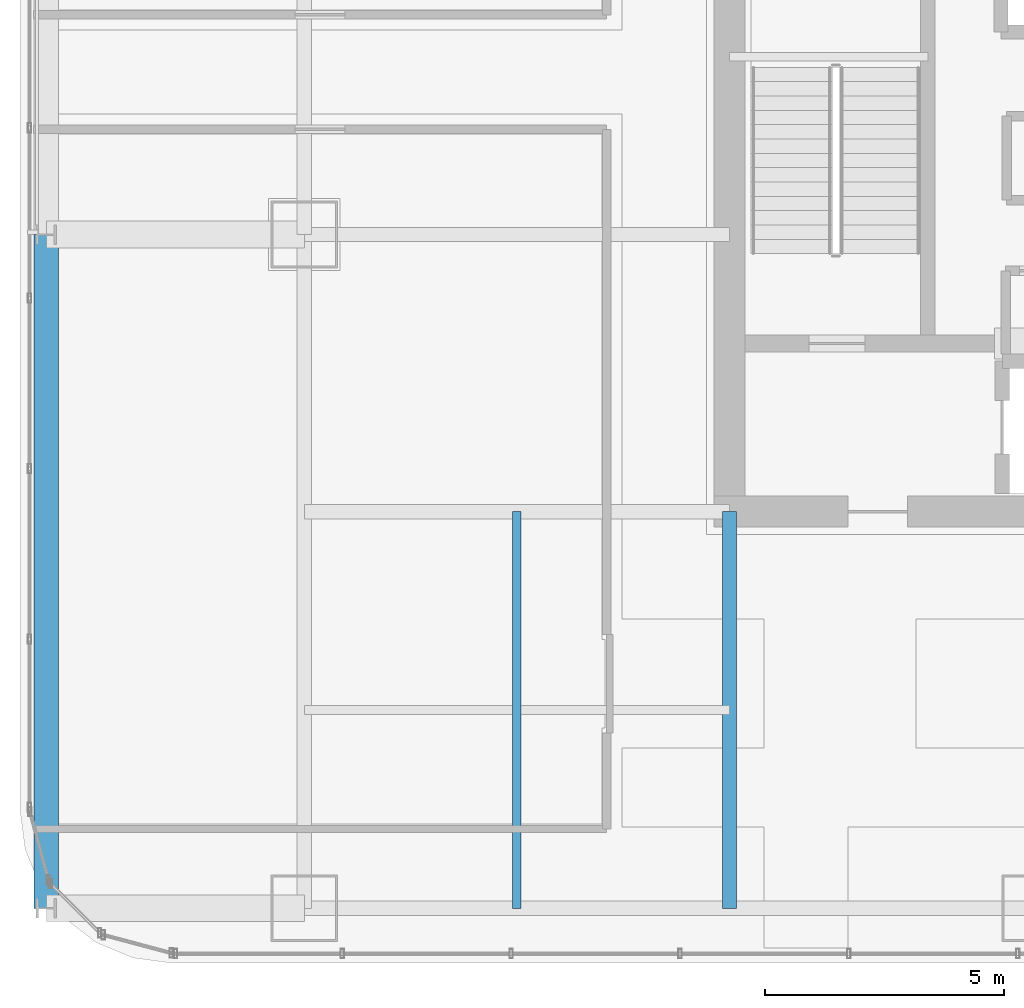
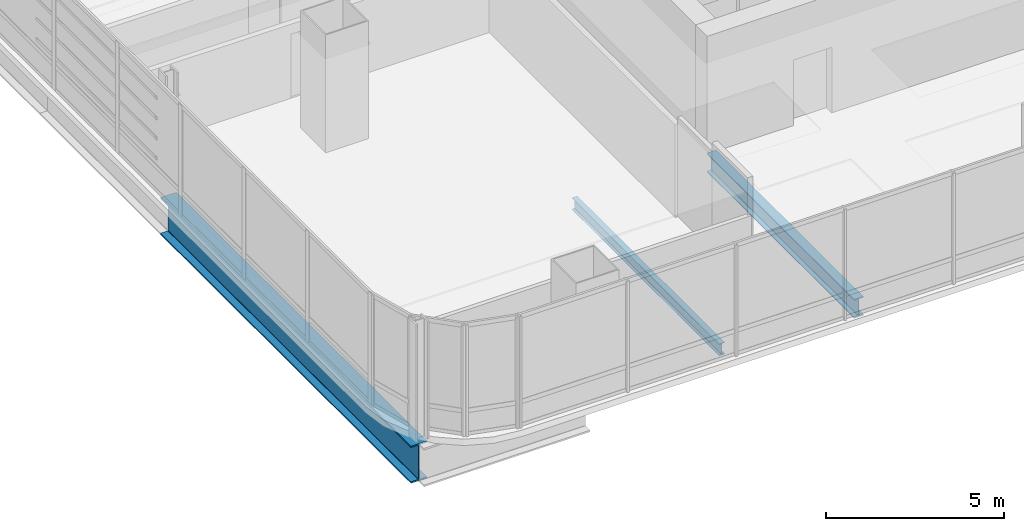
# One storey, part 4 of 38: 3 beams.
"""IFC4 building model written with IfcOpenShell, lengths in metres."""

import ifcopenshell
import ifcopenshell.guid

model = None  # the IFC model being written
_history = None  # IfcOwnerHistory: only IFC2X3 demands one
_inside = {}  # id of a spatial element -> (the spatial element, [elements in it])
_under = {}  # id of a project, library or spatial element -> (it, [spatial elements below it])
_declared = {}  # id of a project -> (the project, [libraries it declares])
_typed = {}  # id of a type object -> (the type object, [elements of that type])
_made_of = {}  # id of a material, layer set ... -> (it, [elements and type objects made of it])


def new_model(schema):
    """Start an empty IFC model of exactly this schema.

    Asked for "IFC4X3", IfcOpenShell would pick the latest addendum, in which some entities
    have other attributes; the version numbers below select the first issue.
    IFC2X3 requires an IfcOwnerHistory on every rooted entity: one is made here for all.
    """
    global model, _history
    if schema == "IFC4X3":
        model = ifcopenshell.file(schema_version=(4, 3, 0, 0))
    else:
        model = ifcopenshell.file(schema=schema)
    _inside.clear()
    _under.clear()
    _declared.clear()
    _typed.clear()
    _made_of.clear()
    _history = None
    if model.schema == "IFC2X3":
        org = make("IfcOrganization", Name="unknown")
        user = make(
            "IfcPersonAndOrganization",
            ThePerson=make("IfcPerson", FamilyName="unknown"),
            TheOrganization=org,
        )
        app = make(
            "IfcApplication",
            ApplicationDeveloper=org,
            Version="unknown",
            ApplicationFullName="unknown",
            ApplicationIdentifier="unknown",
        )
        _history = make(
            "IfcOwnerHistory",
            OwningUser=user,
            OwningApplication=app,
            ChangeAction="ADDED",
            CreationDate=0,
        )
    return model


def make(cls, **values):
    """One entity of the class cls with the attributes given. An attribute that is None is left unset."""
    return model.create_entity(
        cls, **{name: value for name, value in values.items() if value is not None}
    )


def rooted(cls, **values):
    """An entity with a GlobalId (a new one), such as an element, a storey or a relation."""
    return make(cls, GlobalId=ifcopenshell.guid.new(), OwnerHistory=_history, **values)


def si_unit(unit_type, name, prefix=None):
    """IfcSIUnit, for example si_unit("LENGTHUNIT", "METRE", prefix="MILLI")."""
    return make("IfcSIUnit", UnitType=unit_type, Prefix=prefix, Name=name)


def assignment(units):
    """IfcUnitAssignment: the units of a project."""
    return None if units is None else make("IfcUnitAssignment", Units=units)


def point(xyz):
    """IfcCartesianPoint."""
    return None if xyz is None else make("IfcCartesianPoint", Coordinates=xyz)


def direction(xyz):
    """IfcDirection."""
    return None if xyz is None else make("IfcDirection", DirectionRatios=xyz)


def frame(location, z_axis=None, x_axis=None):
    """IfcAxis2Placement3D, a coordinate frame: its origin and axes. An axis left out is left unset."""
    return make(
        "IfcAxis2Placement3D",
        Location=point(location),
        Axis=direction(z_axis),
        RefDirection=direction(x_axis),
    )


def frame_2d(location, x_axis=None):
    """IfcAxis2Placement2D, a coordinate frame in the plane: its origin and x axis."""
    return make(
        "IfcAxis2Placement2D", Location=point(location), RefDirection=direction(x_axis)
    )


def origin():
    """The frame at (0, 0, 0) with its axes left unset."""
    return frame((0.0, 0.0, 0.0))


def origin_2d():
    """The frame at (0, 0) in the plane with its x axis left unset."""
    return frame_2d((0.0, 0.0))


def place(relative_to, where):
    """IfcLocalPlacement: puts the frame where relative to a parent placement (None: the world)."""
    return make(
        "IfcLocalPlacement", PlacementRelTo=relative_to, RelativePlacement=where
    )


def context(
    kind, dimensions, precision=None, world=None, true_north=None, identifier=None
):
    """IfcGeometricRepresentationContext, for example the 3D "Model" context."""
    return make(
        "IfcGeometricRepresentationContext",
        ContextIdentifier=identifier,
        ContextType=kind,
        CoordinateSpaceDimension=dimensions,
        Precision=precision,
        WorldCoordinateSystem=world,
        TrueNorth=true_north,
    )


def subcontext(parent, identifier, kind, view, scale=None):
    """IfcGeometricRepresentationSubContext, for example "Body" below "Model"."""
    return make(
        "IfcGeometricRepresentationSubContext",
        ContextIdentifier=identifier,
        ContextType=kind,
        ParentContext=parent,
        TargetScale=scale,
        TargetView=view,
    )


def project(units=None, contexts=None):
    """IfcProject with its units and contexts."""
    return rooted(
        "IfcProject",
        Name="project",
        RepresentationContexts=contexts,
        UnitsInContext=assignment(units),
    )


def spatial(cls, under=None, at=None, **own):
    """A site, building, storey or space (cls), placed at a placement, below another one or the project."""
    s = rooted(cls, ObjectPlacement=at, **own)
    if under is not None:
        _under.setdefault(under.id(), (under, []))[1].append(s)
    return s


def profile(cls, at=None, kind="AREA", **sizes):
    """A parametric profile (cls). Its sizes go by their IFC names, for example OverallWidth=200.0."""
    return make(cls, ProfileType=kind, Position=at, **sizes)


def i_section(**sizes):
    """IfcIShapeProfileDef."""
    return profile("IfcIShapeProfileDef", **sizes)


def extrude(swept, where, along, depth):
    """IfcExtrudedAreaSolid: the profile swept, set in the frame where, extruded along a direction by depth."""
    return make(
        "IfcExtrudedAreaSolid",
        SweptArea=swept,
        Position=where,
        ExtrudedDirection=direction(along),
        Depth=depth,
    )


def shape(context_of_items, identifier, shape_type, items):
    """IfcShapeRepresentation: the items that make up one representation, for example the "Body"."""
    return make(
        "IfcShapeRepresentation",
        ContextOfItems=context_of_items,
        RepresentationIdentifier=identifier,
        RepresentationType=shape_type,
        Items=items,
    )


def material(Name=None, Category=None):
    """IfcMaterial."""
    return make("IfcMaterial", Name=Name, Category=Category)


def material_profile(
    of_material, cross_section, Name=None, Category=None, Priority=None
):
    """IfcMaterialProfile: a cross section and its material."""
    return make(
        "IfcMaterialProfile",
        Name=Name,
        Material=of_material,
        Profile=cross_section,
        Priority=Priority,
        Category=Category,
    )


def profile_set(profiles, Name=None, composite=None):
    """IfcMaterialProfileSet."""
    return make(
        "IfcMaterialProfileSet",
        Name=Name,
        MaterialProfiles=profiles,
        CompositeProfile=composite,
    )


def made_of(thing, what):
    """Note that an element or type object is made of a material, layer set ...; save() writes the relation."""
    if what is not None:
        _made_of.setdefault(what.id(), (what, []))[1].append(thing)
    return thing


def type_object(cls, material=None, **own):
    """A type object (cls), such as IfcWallType, which elements share."""
    return made_of(rooted(cls, **own), material)


def element(
    cls,
    number,
    at=None,
    inside=None,
    cuts=None,
    type_object=None,
    material=None,
    context=None,
    identifier="Body",
    shape_type=None,
    held_by="IfcProductDefinitionShape",
    body=None,
    shapes=None,
    **own,
):
    """One element of the class cls, such as IfcWall. Its Tag is "e" and its number.

    at: its placement. inside: the storey or other place that contains it. cuts: it is an
    opening in that element (IfcRelVoidsElement). A single representation is given by context,
    identifier, shape_type and body (its items); several are given by shapes. held_by: the class
    of the entity that holds the representations. save() writes the other relations.
    """
    e = rooted(cls, Tag="e%d" % number, ObjectPlacement=at, **own)
    if body is not None:
        shapes = [shape(context, identifier, shape_type, body)]
    if shapes is not None:
        e.Representation = make(held_by, Representations=shapes)
    if inside is not None:
        _inside.setdefault(inside.id(), (inside, []))[1].append(e)
    if cuts is not None:
        rooted(
            "IfcRelVoidsElement", RelatingBuildingElement=cuts, RelatedOpeningElement=e
        )
    if type_object is not None:
        _typed.setdefault(type_object.id(), (type_object, []))[1].append(e)
    return made_of(e, material)


def aggregate(whole, parts):
    """IfcRelAggregates: a whole, such as a stair, and the parts it consists of."""
    return rooted("IfcRelAggregates", RelatingObject=whole, RelatedObjects=parts)


def save(model, path):
    """Write the relations noted so far, then the file.

    IfcRelAggregates (storeys below a building ...), IfcRelContainedInSpatialStructure (elements
    in a storey), IfcRelDefinesByType, IfcRelAssociatesMaterial and IfcRelDeclares: one each for
    every whole, place, type object, material and project.
    """
    for whole, parts in _under.values():
        aggregate(whole, parts)
    for where, things in _inside.values():
        rooted(
            "IfcRelContainedInSpatialStructure",
            RelatedElements=things,
            RelatingStructure=where,
        )
    for kind, things in _typed.values():
        rooted("IfcRelDefinesByType", RelatedObjects=things, RelatingType=kind)
    for what, things in _made_of.values():
        rooted("IfcRelAssociatesMaterial", RelatedObjects=things, RelatingMaterial=what)
    for by, libraries in _declared.values():
        rooted("IfcRelDeclares", RelatingContext=by, RelatedDefinitions=libraries)
    model.write(path)


model = new_model("IFC4")

# Units and contexts
model_context = context("Model", 3, precision=1e-05, world=origin(), true_north=direction((0.0, 1.0)))
body_context = subcontext(model_context, "Body", "Model", "MODEL_VIEW")
ifc_project = project(units=[si_unit("LENGTHUNIT", "METRE"), si_unit("AREAUNIT", "SQUARE_METRE"), si_unit("VOLUMEUNIT", "CUBIC_METRE"), si_unit("PLANEANGLEUNIT", "RADIAN"), si_unit("MASSUNIT", "GRAM", prefix="KILO")], contexts=[model_context])

# Site, building, storey
site_placement = place(None, origin())
site = spatial("IfcSite", under=ifc_project, at=site_placement, CompositionType="ELEMENT")
building_placement = place(site_placement, origin())
building = spatial("IfcBuilding", under=site, at=building_placement, Name="Punatoya Terracotta Tower", CompositionType="ELEMENT")
storey_placement = place(building_placement, frame((0.0, 0.0, 143.85009765625)))
storey = spatial("IfcBuildingStorey", under=building, at=storey_placement, Name="L33", CompositionType="ELEMENT", Elevation=143.85009765625)

# Beams
ifc_material_1 = material(Name="Steel S355", Category="steel")
ifc_material_profile_1 = material_profile(ifc_material_1, i_section(OverallWidth=0.300048828125, OverallDepth=0.64990234375, WebThickness=0.01611328125, FlangeThickness=0.031005859375, FilletRadius=0.01806640625, at=origin_2d()))
ifc_profile_set_1 = profile_set([ifc_material_profile_1], Name="Steel S355")
beam_type_1 = type_object("IfcBeamType", Name="BM-PRI-650", PredefinedType="BEAM", material=ifc_profile_set_1)
beam_1_placement = place(storey_placement, frame((-10.199951171875, -17.5, -0.545166015625), z_axis=(0.0, 1.0, 0.0), x_axis=(-1.0, 0.0, 0.0)))
element("IfcBeam", 1, at=beam_1_placement, inside=storey, type_object=beam_type_1, Name="BM-L33-PR-S1", PredefinedType="BEAM", context=body_context, shape_type="SweptSolid", body=[
    extrude(i_section(OverallWidth=0.300048828125, OverallDepth=0.64990234375, WebThickness=0.01611328125, FlangeThickness=0.031005859375, FilletRadius=0.01806640625, at=origin_2d()), origin(), (0.0, 0.0, 1.0), 8.300048828125),
])
ifc_material_profile_2 = material_profile(ifc_material_1, i_section(OverallWidth=0.179931640625, OverallDepth=0.39990234375, WebThickness=0.008544921875, FlangeThickness=0.013427734375, FilletRadius=0.01806640625, at=origin_2d()))
ifc_profile_set_2 = profile_set([ifc_material_profile_2], Name="Steel S355")
beam_type_2 = type_object("IfcBeamType", Name="BM-SEC-400", PredefinedType="JOIST", material=ifc_profile_set_2)
beam_2_placement = place(storey_placement, frame((-14.64990234375, -17.5, -0.420166015625), z_axis=(0.0, 1.0, 0.0), x_axis=(-1.0, 0.0, 0.0)))
element("IfcBeam", 2, at=beam_2_placement, inside=storey, type_object=beam_type_2, Name="BM-L33-SJW-1", PredefinedType="JOIST", context=body_context, shape_type="SweptSolid", body=[
    extrude(i_section(OverallWidth=0.179931640625, OverallDepth=0.39990234375, WebThickness=0.008544921875, FlangeThickness=0.013427734375, FilletRadius=0.01806640625, at=origin_2d()), origin(), (0.0, 0.0, 1.0), 8.300048828125),
])
ifc_material_2 = material(Name="Steel S460", Category="steel")
ifc_material_profile_3 = material_profile(ifc_material_2, i_section(OverallWidth=0.52001953125, OverallDepth=1.280029296875, WebThickness=0.031982421875, FlangeThickness=0.050048828125, FilletRadius=0.01806640625, at=origin_2d()))
ifc_profile_set_3 = profile_set([ifc_material_profile_3], Name="Steel S460")
beam_type_3 = type_object("IfcBeamType", Name="BM-TG-NCK", PredefinedType="BEAM", material=ifc_profile_set_3)
beam_3_placement = place(storey_placement, frame((-24.5, -17.5, -0.860107421875), z_axis=(0.0, 1.0, 0.0), x_axis=(-1.0, 0.0, 0.0)))
element("IfcBeam", 3, at=beam_3_placement, inside=storey, type_object=beam_type_3, Name="BM-L33-PER-W1", PredefinedType="BEAM", context=body_context, shape_type="SweptSolid", body=[
    extrude(i_section(OverallWidth=0.52001953125, OverallDepth=1.280029296875, WebThickness=0.031982421875, FlangeThickness=0.050048828125, FilletRadius=0.01806640625, at=origin_2d()), origin(), (0.0, 0.0, 1.0), 14.10009765625),
])

save(model, "model.ifc")
